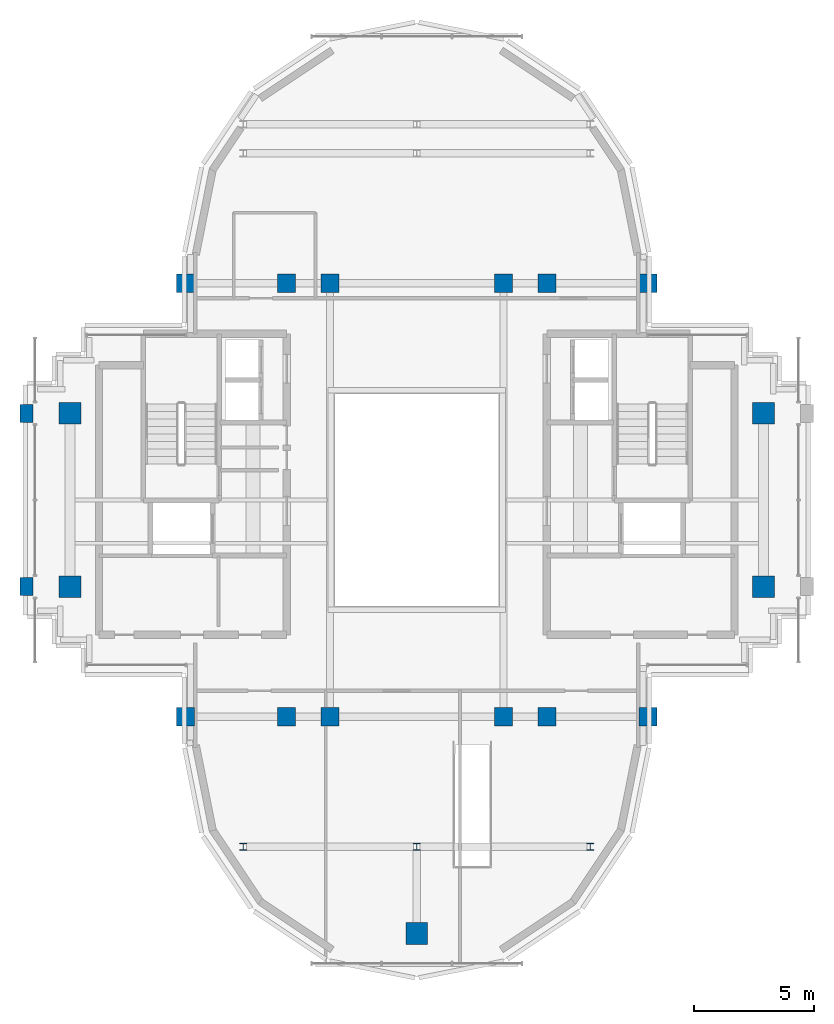
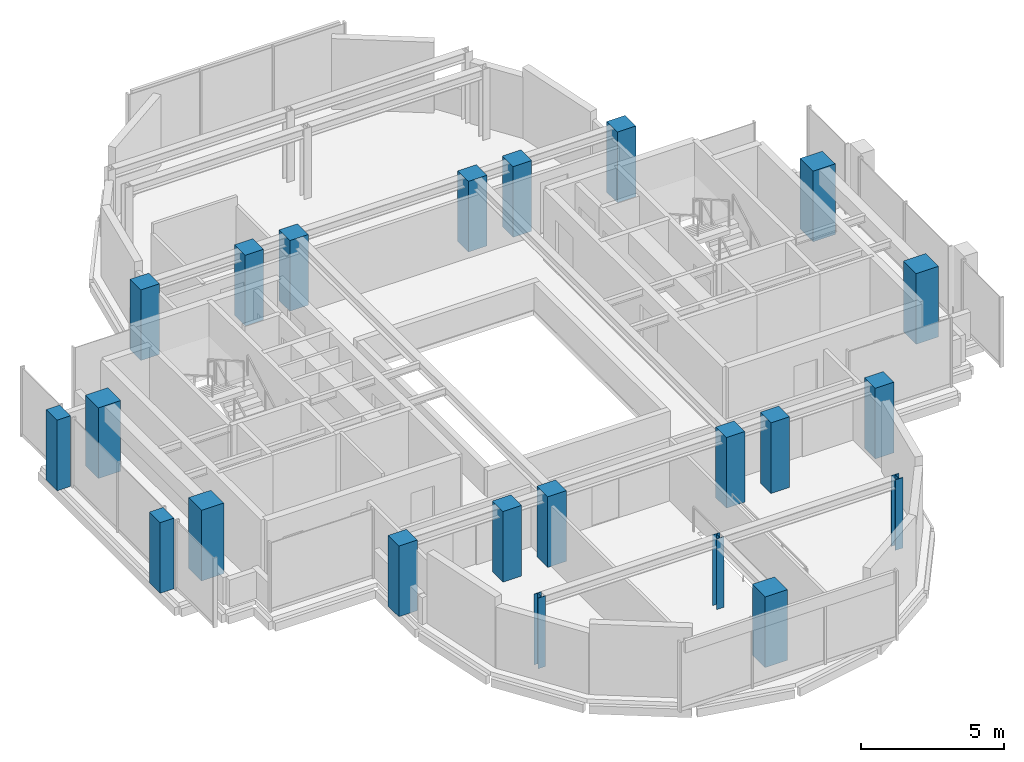
# One storey, part 1 of 11: 22 columns.
"""IFC4 building model written with IfcOpenShell, lengths in metres."""

from ifc_helpers import new_model, si_unit, direction, frame, origin, origin_2d, place, context, subcontext, project, spatial, rectangle, i_section, extrude, source, transform, mapped, material, material_profile, profile_set, type_object, element, save


model = new_model("IFC4")

# Units and contexts
model_context = context("Model", 3, precision=1e-05, world=origin(), true_north=direction((0.0, 1.0)))
body_context = subcontext(model_context, "Body", "Model", "MODEL_VIEW")
ifc_project = project(units=[si_unit("LENGTHUNIT", "METRE"), si_unit("AREAUNIT", "SQUARE_METRE"), si_unit("VOLUMEUNIT", "CUBIC_METRE"), si_unit("PLANEANGLEUNIT", "RADIAN"), si_unit("MASSUNIT", "GRAM", prefix="KILO")], contexts=[model_context])

# Site, building, storey
site_placement = place(None, origin())
site = spatial("IfcSite", under=ifc_project, at=site_placement, CompositionType="ELEMENT")
building_placement = place(site_placement, origin())
building = spatial("IfcBuilding", under=site, at=building_placement, Name="Keilestroom Media Tower", CompositionType="ELEMENT")
storey_placement = place(building_placement, frame((0.0, 0.0, 255.60009765625)))
storey = spatial("IfcBuildingStorey", under=building, at=storey_placement, Name="L71", CompositionType="ELEMENT", Elevation=255.60009765625)

# Columns
ifc_material_1 = material(Name="Precast concrete C40/50", Category="concrete")
ifc_material_profile_1 = material_profile(ifc_material_1, rectangle(XDim=0.550048828125, YDim=0.75, at=origin_2d()), Name="PC 750x550")
ifc_profile_set_1 = profile_set([ifc_material_profile_1], Name="Precast concrete C40/50")
column_type_1 = type_object("IfcColumnType", Name="Structural-Column-PC-750x550", PredefinedType="COLUMN", material=ifc_profile_set_1)
shared_shape_1 = source(origin(), body_context, "Body", "SweptSolid", [
    extrude(rectangle(XDim=0.550048828125, YDim=0.75, at=origin_2d()), origin(), (0.0, 0.0, 1.0), 3.010009765625),
])
for number, where, z_axis, x_axis, name in (
    (1, (-16.199951171875, -3.60009765625, 0.0), (0.0, 0.0, 1.0), (1.0, 0.0, 0.0), "L71 Column PC-3 (-16.2,-3.6)"),
    (2, (-16.199951171875, 3.60009765625, 0.0), (0.0, 0.0, 1.0), (1.0, 0.0, 0.0), "L71 Column PC-3 (-16.2,+3.6)"),
):
    element("IfcColumn", number, at=place(storey_placement, frame(where, z_axis=z_axis, x_axis=x_axis)), inside=storey, type_object=column_type_1, Name=name, PredefinedType="COLUMN", context=body_context, shape_type="MappedRepresentation", body=[
        mapped(shared_shape_1, transform((0.0, 0.0, 0.0), x_axis=(1.0, 0.0, 0.0), y_axis=(0.0, 1.0, 0.0), z_axis=(0.0, 0.0, 1.0), scale=1.0)),
    ])
ifc_material_2 = material(Name="Concrete C55/67", Category="concrete")
ifc_material_profile_2 = material_profile(ifc_material_2, rectangle(XDim=0.89990234375, YDim=0.89990234375, at=origin_2d()), Name="RC 900x900")
ifc_profile_set_2 = profile_set([ifc_material_profile_2], Name="Concrete C55/67")
column_type_2 = type_object("IfcColumnType", Name="Structural-Column-RC-900x900", PredefinedType="COLUMN", material=ifc_profile_set_2)
shared_shape_2 = source(origin(), body_context, "Body", "SweptSolid", [
    extrude(rectangle(XDim=0.89990234375, YDim=0.89990234375, at=origin_2d()), origin(), (0.0, 0.0, 1.0), 3.010009765625),
])
for number, where, z_axis, x_axis, name in (
    (3, (-14.39990234375, -3.60009765625, 0.0), (0.0, 0.0, 1.0), (1.0, 0.0, 0.0), "L71 Column MC-4 (-14.4,-3.6)"),
    (4, (-14.39990234375, 3.60009765625, 0.0), (0.0, 0.0, 1.0), (1.0, 0.0, 0.0), "L71 Column MC-4 (-14.4,+3.6)"),
    (5, (0.0, -18.0, 0.0), (0.0, 0.0, 1.0), (1.0, 0.0, 0.0), "L71 Column MC-4 (+0.0,-18.0)"),
    (6, (14.39990234375, -3.60009765625, 0.0), (0.0, 0.0, 1.0), (1.0, 0.0, 0.0), "L71 Column MC-4 (+14.4,-3.6)"),
    (7, (14.39990234375, 3.60009765625, 0.0), (0.0, 0.0, 1.0), (1.0, 0.0, 0.0), "L71 Column MC-4 (+14.4,+3.6)"),
):
    element("IfcColumn", number, at=place(storey_placement, frame(where, z_axis=z_axis, x_axis=x_axis)), inside=storey, type_object=column_type_2, Name=name, PredefinedType="COLUMN", context=body_context, shape_type="MappedRepresentation", body=[
        mapped(shared_shape_2, transform((0.0, 0.0, 0.0), x_axis=(1.0, 0.0, 0.0), y_axis=(0.0, 1.0, 0.0), z_axis=(0.0, 0.0, 1.0), scale=1.0)),
    ])
ifc_material_3 = material(Name="Concrete C50/60", Category="concrete")
ifc_material_profile_3 = material_profile(ifc_material_3, rectangle(XDim=0.75, YDim=0.75, at=origin_2d()), Name="RC 750x750")
ifc_profile_set_3 = profile_set([ifc_material_profile_3], Name="Concrete C50/60")
column_type_3 = type_object("IfcColumnType", Name="Structural-Column-RC-750x750", PredefinedType="COLUMN", material=ifc_profile_set_3)
shared_shape_3 = source(origin(), body_context, "Body", "SweptSolid", [
    extrude(rectangle(XDim=0.75, YDim=0.75, at=origin_2d()), origin(), (0.0, 0.0, 1.0), 3.010009765625),
])
for number, where, z_axis, x_axis, name in (
    (8, (-9.60009765625, -9.0, 0.0), (0.0, 0.0, 1.0), (1.0, 0.0, 0.0), "L71 Column MC-5 (-9.6,-9.0)"),
    (9, (-9.60009765625, 9.0, 0.0), (0.0, 0.0, 1.0), (1.0, 0.0, 0.0), "L71 Column MC-5 (-9.6,+9.0)"),
    (10, (-5.39990234375, -9.0, 0.0), (0.0, 0.0, 1.0), (1.0, 0.0, 0.0), "L71 Column MC-5 (-5.4,-9.0)"),
    (11, (-5.39990234375, 9.0, 0.0), (0.0, 0.0, 1.0), (1.0, 0.0, 0.0), "L71 Column MC-5 (-5.4,+9.0)"),
    (12, (-3.60009765625, -9.0, 0.0), (0.0, 0.0, 1.0), (1.0, 0.0, 0.0), "L71 Column MC-5 (-3.6,-9.0)"),
    (13, (-3.60009765625, 9.0, 0.0), (0.0, 0.0, 1.0), (1.0, 0.0, 0.0), "L71 Column MC-5 (-3.6,+9.0)"),
    (14, (3.60009765625, -9.0, 0.0), (0.0, 0.0, 1.0), (1.0, 0.0, 0.0), "L71 Column MC-5 (+3.6,-9.0)"),
    (15, (3.60009765625, 9.0, 0.0), (0.0, 0.0, 1.0), (1.0, 0.0, 0.0), "L71 Column MC-5 (+3.6,+9.0)"),
    (16, (5.39990234375, -9.0, 0.0), (0.0, 0.0, 1.0), (1.0, 0.0, 0.0), "L71 Column MC-5 (+5.4,-9.0)"),
    (17, (5.39990234375, 9.0, 0.0), (0.0, 0.0, 1.0), (1.0, 0.0, 0.0), "L71 Column MC-5 (+5.4,+9.0)"),
    (18, (9.60009765625, -9.0, 0.0), (0.0, 0.0, 1.0), (1.0, 0.0, 0.0), "L71 Column MC-5 (+9.6,-9.0)"),
    (19, (9.60009765625, 9.0, 0.0), (0.0, 0.0, 1.0), (1.0, 0.0, 0.0), "L71 Column MC-5 (+9.6,+9.0)"),
):
    element("IfcColumn", number, at=place(storey_placement, frame(where, z_axis=z_axis, x_axis=x_axis)), inside=storey, type_object=column_type_3, Name=name, PredefinedType="COLUMN", context=body_context, shape_type="MappedRepresentation", body=[
        mapped(shared_shape_3, transform((0.0, 0.0, 0.0), x_axis=(1.0, 0.0, 0.0), y_axis=(0.0, 1.0, 0.0), z_axis=(0.0, 0.0, 1.0), scale=1.0)),
    ])
ifc_material_4 = material(Name="Steel S355", Category="steel")
ifc_material_profile_4 = material_profile(ifc_material_4, i_section(OverallWidth=0.300048828125, OverallDepth=0.300048828125, WebThickness=0.010986328125, FlangeThickness=0.01904296875, at=origin_2d()), Name="HEB 300")
ifc_profile_set_4 = profile_set([ifc_material_profile_4], Name="Steel S355")
column_type_4 = type_object("IfcColumnType", Name="Structural-Column-HEB-300", PredefinedType="COLUMN", material=ifc_profile_set_4)
shared_shape_4 = source(origin(), body_context, "Body", "SweptSolid", [
    extrude(i_section(OverallWidth=0.300048828125, OverallDepth=0.300048828125, WebThickness=0.010986328125, FlangeThickness=0.01904296875, at=origin_2d()), origin(), (0.0, 0.0, 1.0), 3.010009765625),
])
for number, where, z_axis, x_axis, name in (
    (20, (-7.199951171875, -14.39990234375, 0.0), (0.0, 0.0, 1.0), (1.0, 0.0, 0.0), "L71 Column SC-5 (-7.2,-14.4)"),
    (21, (0.0, -14.39990234375, 0.0), (0.0, 0.0, 1.0), (1.0, 0.0, 0.0), "L71 Column SC-5 (+0.0,-14.4)"),
    (22, (7.199951171875, -14.39990234375, 0.0), (0.0, 0.0, 1.0), (1.0, 0.0, 0.0), "L71 Column SC-5 (+7.2,-14.4)"),
):
    element("IfcColumn", number, at=place(storey_placement, frame(where, z_axis=z_axis, x_axis=x_axis)), inside=storey, type_object=column_type_4, Name=name, PredefinedType="COLUMN", context=body_context, shape_type="MappedRepresentation", body=[
        mapped(shared_shape_4, transform((0.0, 0.0, 0.0), x_axis=(1.0, 0.0, 0.0), y_axis=(0.0, 1.0, 0.0), z_axis=(0.0, 0.0, 1.0), scale=1.0)),
    ])

save(model, "model.ifc")
